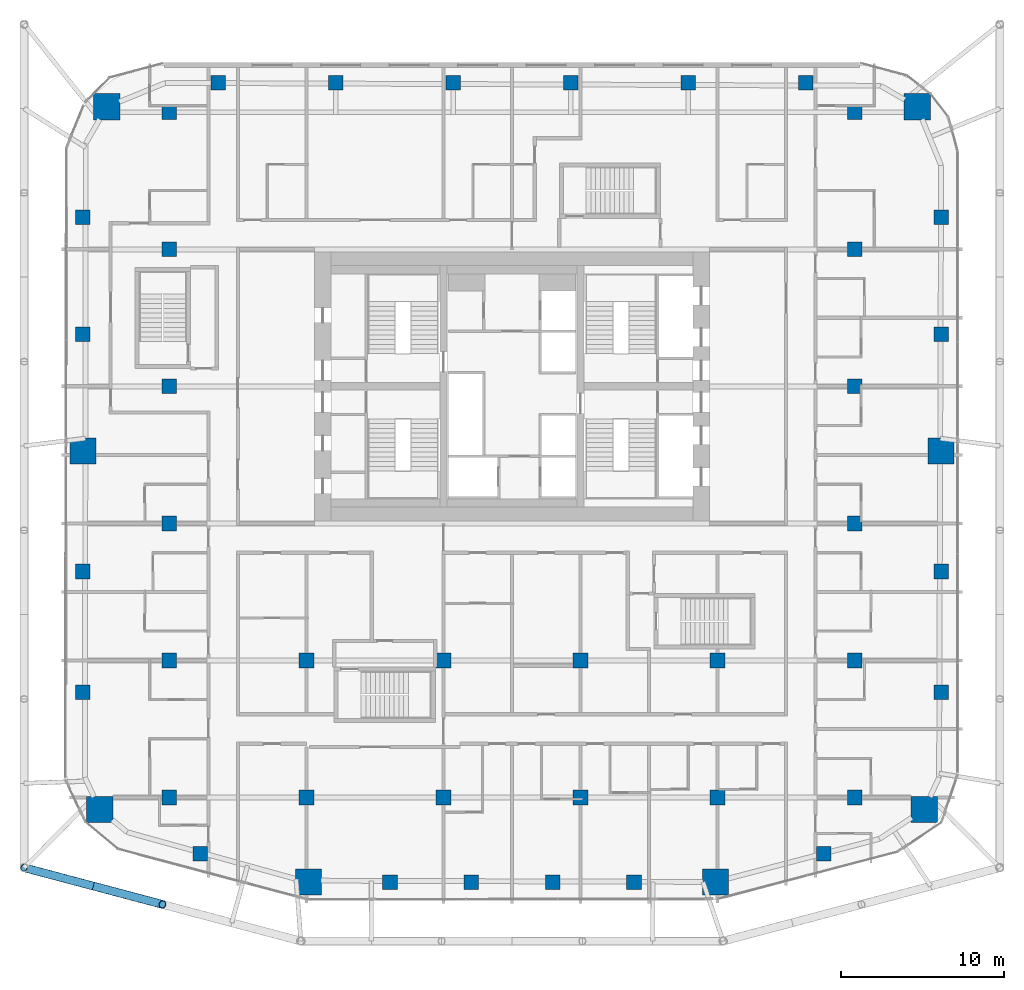
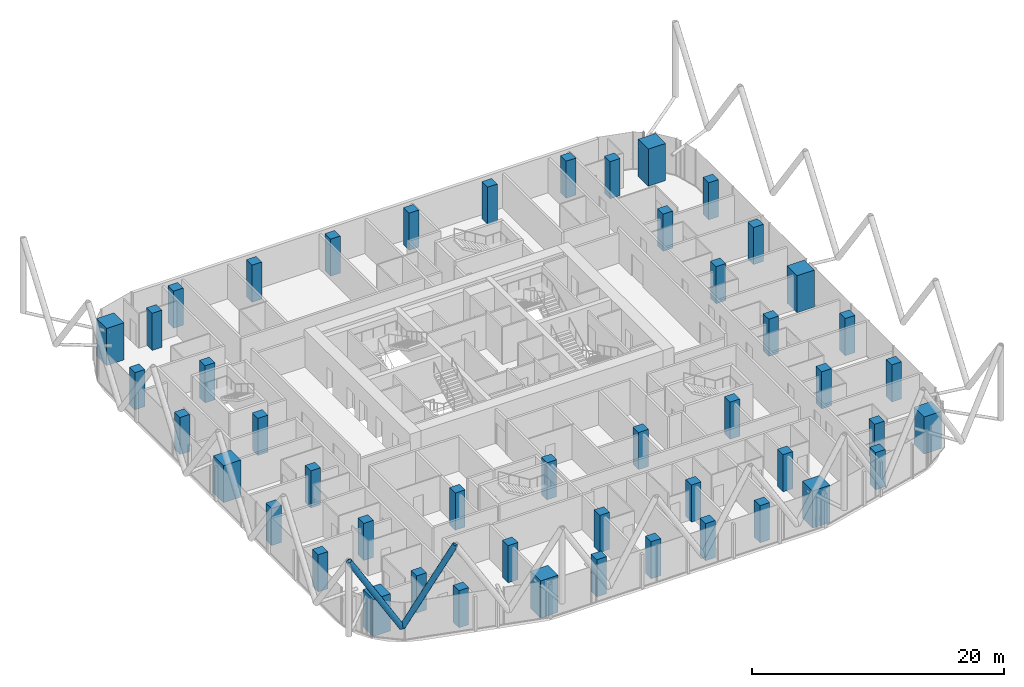
# One storey, part 1 of 36: 48 columns, 2 members.
"""IFC4 building model written with IfcOpenShell, lengths in metres."""

from ifc_helpers import new_model, si_unit, direction, frame, origin, origin_2d, place, context, subcontext, project, spatial, rectangle, hollow_circle, extrude, material, material_profile, profile_set, type_object, element, save


model = new_model("IFC4")

# Units and contexts
model_context = context("Model", 3, precision=1e-05, world=origin(), true_north=direction((0.0, 1.0)))
body_context = subcontext(model_context, "Body", "Model", "MODEL_VIEW")
ifc_project = project(units=[si_unit("LENGTHUNIT", "METRE"), si_unit("AREAUNIT", "SQUARE_METRE"), si_unit("VOLUMEUNIT", "CUBIC_METRE"), si_unit("PLANEANGLEUNIT", "RADIAN"), si_unit("MASSUNIT", "GRAM", prefix="KILO")], contexts=[model_context])

# Site, building, storey
site_placement = place(None, origin())
site = spatial("IfcSite", under=ifc_project, at=site_placement, CompositionType="ELEMENT")
building_placement = place(site_placement, origin())
building = spatial("IfcBuilding", under=site, at=building_placement, Name="Marenta Gate Hotel Tower", CompositionType="ELEMENT")
storey_placement = place(building_placement, frame((0.0, 0.0, 144.5)))
storey = spatial("IfcBuildingStorey", under=building, at=storey_placement, Name="L33", CompositionType="ELEMENT", Elevation=144.5)

# Columns
ifc_material_1 = material(Name="Concrete C70", Category="concrete")
ifc_material_profile_1 = material_profile(ifc_material_1, rectangle(XDim=0.89990234375, YDim=0.89990234375, at=origin_2d()), Name="900 x 900")
ifc_profile_set_1 = profile_set([ifc_material_profile_1], Name="Concrete C70")
column_type_1 = type_object("IfcColumnType", Name="Edge column 900 x 900 C70", PredefinedType="COLUMN", material=ifc_profile_set_1)
for number, where, z_axis, x_axis, name in (
    (1, (-26.300048828125, -10.351806640625, 0.0), (0.0, 0.0, 1.0), (1.0, 0.0, 0.0), "L33-EC-SW-W-1"),
    (2, (-26.300048828125, -2.950927734375, 0.0), (0.0, 0.0, 1.0), (1.0, 0.0, 0.0), "L33-EC-SW-W-2"),
    (3, (-26.300048828125, 11.603271484375, 0.0), (0.0, 0.0, 1.0), (1.0, 0.0, 0.0), "L33-EC-W-NW-1"),
    (4, (-26.300048828125, 18.75634765625, 0.0), (0.0, 0.0, 1.0), (1.0, 0.0, 0.0), "L33-EC-W-NW-2"),
    (5, (-18.0068359375, 27.0, 0.0), (0.0, 0.0, 1.0), (1.0, 0.0, 0.0), "L33-EC-NW-NE-1"),
    (6, (-10.80419921875, 27.0, 0.0), (0.0, 0.0, 1.0), (1.0, 0.0, 0.0), "L33-EC-NW-NE-2"),
    (7, (-3.601318359375, 27.0, 0.0), (0.0, 0.0, 1.0), (1.0, 0.0, 0.0), "L33-EC-NW-NE-3"),
    (8, (3.601318359375, 27.0, 0.0), (0.0, 0.0, 1.0), (1.0, 0.0, 0.0), "L33-EC-NW-NE-4"),
    (9, (10.80419921875, 27.0, 0.0), (0.0, 0.0, 1.0), (1.0, 0.0, 0.0), "L33-EC-NW-NE-5"),
    (10, (18.0068359375, 27.0, 0.0), (0.0, 0.0, 1.0), (1.0, 0.0, 0.0), "L33-EC-NW-NE-6"),
    (11, (26.300048828125, 18.75634765625, 0.0), (0.0, 0.0, 1.0), (1.0, 0.0, 0.0), "L33-EC-NE-E-1"),
    (12, (26.300048828125, 11.603271484375, 0.0), (0.0, 0.0, 1.0), (1.0, 0.0, 0.0), "L33-EC-NE-E-2"),
    (13, (26.300048828125, -2.950927734375, 0.0), (0.0, 0.0, 1.0), (1.0, 0.0, 0.0), "L33-EC-E-SE-1"),
    (14, (26.300048828125, -10.351806640625, 0.0), (0.0, 0.0, 1.0), (1.0, 0.0, 0.0), "L33-EC-E-SE-2"),
    (15, (19.106689453125, -20.239013671875, 0.0), (0.0, 0.0, 1.0), (1.0, 0.0, 0.0), "L33-EC-SE-SKE-1"),
    (16, (7.47998046875, -22.0, 0.0), (0.0, 0.0, 1.0), (1.0, 0.0, 0.0), "L33-EC-SKE-SKW-1"),
    (17, (2.493408203125, -22.0, 0.0), (0.0, 0.0, 1.0), (1.0, 0.0, 0.0), "L33-EC-SKE-SKW-2"),
    (18, (-2.493408203125, -22.0, 0.0), (0.0, 0.0, 1.0), (1.0, 0.0, 0.0), "L33-EC-SKE-SKW-3"),
    (19, (-7.47998046875, -22.0, 0.0), (0.0, 0.0, 1.0), (1.0, 0.0, 0.0), "L33-EC-SKE-SKW-4"),
    (20, (-19.106689453125, -20.239013671875, 0.0), (0.0, 0.0, 1.0), (1.0, 0.0, 0.0), "L33-EC-SKW-SW-1"),
):
    element("IfcColumn", number, at=place(storey_placement, frame(where, z_axis=z_axis, x_axis=x_axis)), inside=storey, type_object=column_type_1, Name=name, PredefinedType="COLUMN", context=body_context, shape_type="SweptSolid", body=[
        extrude(rectangle(XDim=0.89990234375, YDim=0.89990234375, at=origin_2d()), origin(), (0.0, 0.0, 1.0), 3.60009765625),
    ])
ifc_material_2 = material(Name="Concrete C70", Category="concrete")
ifc_material_profile_2 = material_profile(ifc_material_2, rectangle(XDim=0.89990234375, YDim=0.89990234375, at=origin_2d()), Name="900 x 900")
ifc_profile_set_2 = profile_set([ifc_material_profile_2], Name="Concrete C70")
column_type_2 = type_object("IfcColumnType", Name="Interior column 900 x 900 C70", PredefinedType="COLUMN", material=ifc_profile_set_2)
for number, where, z_axis, x_axis, name in (
    (21, (-21.0, -16.800048828125, 0.0), (0.0, 0.0, 1.0), (1.0, 0.0, 0.0), "L33-IC-4D"),
    (22, (-21.0, -8.39990234375, 0.0), (0.0, 0.0, 1.0), (1.0, 0.0, 0.0), "L33-IC-4E"),
    (23, (-21.0, 0.0, 0.0), (0.0, 0.0, 1.0), (1.0, 0.0, 0.0), "L33-IC-4F"),
    (24, (-21.0, 8.39990234375, 0.0), (0.0, 0.0, 1.0), (1.0, 0.0, 0.0), "L33-IC-4G"),
    (25, (-21.0, 16.800048828125, 0.0), (0.0, 0.0, 1.0), (1.0, 0.0, 0.0), "L33-IC-4H"),
    (26, (-21.0, 25.199951171875, 0.0), (0.0, 0.0, 1.0), (1.0, 0.0, 0.0), "L33-IC-4I"),
    (27, (-12.60009765625, -16.800048828125, 0.0), (0.0, 0.0, 1.0), (1.0, 0.0, 0.0), "L33-IC-5D"),
    (28, (-12.60009765625, -8.39990234375, 0.0), (0.0, 0.0, 1.0), (1.0, 0.0, 0.0), "L33-IC-5E"),
    (29, (-4.199951171875, -16.800048828125, 0.0), (0.0, 0.0, 1.0), (1.0, 0.0, 0.0), "L33-IC-6D"),
    (30, (-4.199951171875, -8.39990234375, 0.0), (0.0, 0.0, 1.0), (1.0, 0.0, 0.0), "L33-IC-6E"),
    (31, (4.199951171875, -16.800048828125, 0.0), (0.0, 0.0, 1.0), (1.0, 0.0, 0.0), "L33-IC-7D"),
    (32, (4.199951171875, -8.39990234375, 0.0), (0.0, 0.0, 1.0), (1.0, 0.0, 0.0), "L33-IC-7E"),
    (33, (12.60009765625, -16.800048828125, 0.0), (0.0, 0.0, 1.0), (1.0, 0.0, 0.0), "L33-IC-8D"),
    (34, (12.60009765625, -8.39990234375, 0.0), (0.0, 0.0, 1.0), (1.0, 0.0, 0.0), "L33-IC-8E"),
    (35, (21.0, -16.800048828125, 0.0), (0.0, 0.0, 1.0), (1.0, 0.0, 0.0), "L33-IC-9D"),
    (36, (21.0, -8.39990234375, 0.0), (0.0, 0.0, 1.0), (1.0, 0.0, 0.0), "L33-IC-9E"),
    (37, (21.0, 0.0, 0.0), (0.0, 0.0, 1.0), (1.0, 0.0, 0.0), "L33-IC-9F"),
    (38, (21.0, 8.39990234375, 0.0), (0.0, 0.0, 1.0), (1.0, 0.0, 0.0), "L33-IC-9G"),
    (39, (21.0, 16.800048828125, 0.0), (0.0, 0.0, 1.0), (1.0, 0.0, 0.0), "L33-IC-9H"),
    (40, (21.0, 25.199951171875, 0.0), (0.0, 0.0, 1.0), (1.0, 0.0, 0.0), "L33-IC-9I"),
):
    element("IfcColumn", number, at=place(storey_placement, frame(where, z_axis=z_axis, x_axis=x_axis)), inside=storey, type_object=column_type_2, Name=name, PredefinedType="COLUMN", context=body_context, shape_type="SweptSolid", body=[
        extrude(rectangle(XDim=0.89990234375, YDim=0.89990234375, at=origin_2d()), origin(), (0.0, 0.0, 1.0), 3.60009765625),
    ])
ifc_material_3 = material(Name="Concrete C70", Category="concrete")
ifc_material_profile_3 = material_profile(ifc_material_3, rectangle(XDim=1.60009765625, YDim=1.60009765625, at=origin_2d()), Name="1600 x 1600")
ifc_profile_set_3 = profile_set([ifc_material_profile_3], Name="Concrete C70")
column_type_3 = type_object("IfcColumnType", Name="Mega column 1600 x 1600 C70", PredefinedType="COLUMN", material=ifc_profile_set_3)
for number, where, z_axis, x_axis, name in (
    (41, (-25.262939453125, -17.532958984375, 0.0), (0.0, 0.0, 1.0), (1.0, 0.0, 0.0), "L33-MC-SW"),
    (42, (-12.46630859375, -21.974853515625, 0.0), (0.0, 0.0, 1.0), (1.0, 0.0, 0.0), "L33-MC-SKW"),
    (43, (12.46630859375, -21.974853515625, 0.0), (0.0, 0.0, 1.0), (1.0, 0.0, 0.0), "L33-MC-SKE"),
    (44, (25.262939453125, -17.532958984375, 0.0), (0.0, 0.0, 1.0), (1.0, 0.0, 0.0), "L33-MC-SE"),
    (45, (26.300048828125, 4.449951171875, 0.0), (0.0, 0.0, 1.0), (1.0, 0.0, 0.0), "L33-MC-E"),
    (46, (24.83544921875, 25.535400390625, 0.0), (0.0, 0.0, 1.0), (1.0, 0.0, 0.0), "L33-MC-NE"),
    (47, (-24.83544921875, 25.535400390625, 0.0), (0.0, 0.0, 1.0), (1.0, 0.0, 0.0), "L33-MC-NW"),
    (48, (-26.300048828125, 4.449951171875, 0.0), (0.0, 0.0, 1.0), (1.0, 0.0, 0.0), "L33-MC-W"),
):
    element("IfcColumn", number, at=place(storey_placement, frame(where, z_axis=z_axis, x_axis=x_axis)), inside=storey, type_object=column_type_3, Name=name, PredefinedType="COLUMN", context=body_context, shape_type="SweptSolid", body=[
        extrude(rectangle(XDim=1.60009765625, YDim=1.60009765625, at=origin_2d()), origin(), (0.0, 0.0, 1.0), 3.60009765625),
    ])

# Members
ifc_material_4 = material(Name="Steel S355J2W", Category="steel")
ifc_material_profile_4 = material_profile(ifc_material_4, hollow_circle(Radius=0.25390625, WallThickness=0.0400390625, at=origin_2d()), Name="CHS 508x40")
ifc_profile_set_4 = profile_set([ifc_material_profile_4], Name="Steel S355J2W")
member_type = type_object("IfcMemberType", Name="Diagrid diagonal Z2 CHS 508x40", PredefinedType="BRACE", material=ifc_profile_set_4)
member_1_placement = place(storey_placement, frame((-25.659912109375, -22.22509765625, 3.139892578125), z_axis=(0.502933214587, -0.13342830634, 0.853964325211), x_axis=(0.256429393985, 0.966562965306, 0.0)))
element("IfcMember", 49, at=member_1_placement, inside=storey, type_object=member_type, Name="L33-DG-23", PredefinedType="BRACE", context=body_context, shape_type="SweptSolid", body=[
    extrude(hollow_circle(Radius=0.25390625, WallThickness=0.0400390625, at=origin_2d()), origin(), (0.0, 0.0, 1.0), 8.431396484375),
])
member_2_placement = place(storey_placement, frame((-25.659912109375, -22.22509765625, 3.139892578125), z_axis=(-0.502889949368, 0.133432192474, 0.853989197142), x_axis=(-0.256456982503, -0.966555645644, 0.0)))
element("IfcMember", 50, at=member_2_placement, inside=storey, type_object=member_type, Name="L33-DG-24", PredefinedType="BRACE", context=body_context, shape_type="SweptSolid", body=[
    extrude(hollow_circle(Radius=0.25390625, WallThickness=0.0400390625, at=origin_2d()), origin(), (0.0, 0.0, 1.0), 8.43115234375),
])

save(model, "model.ifc")
